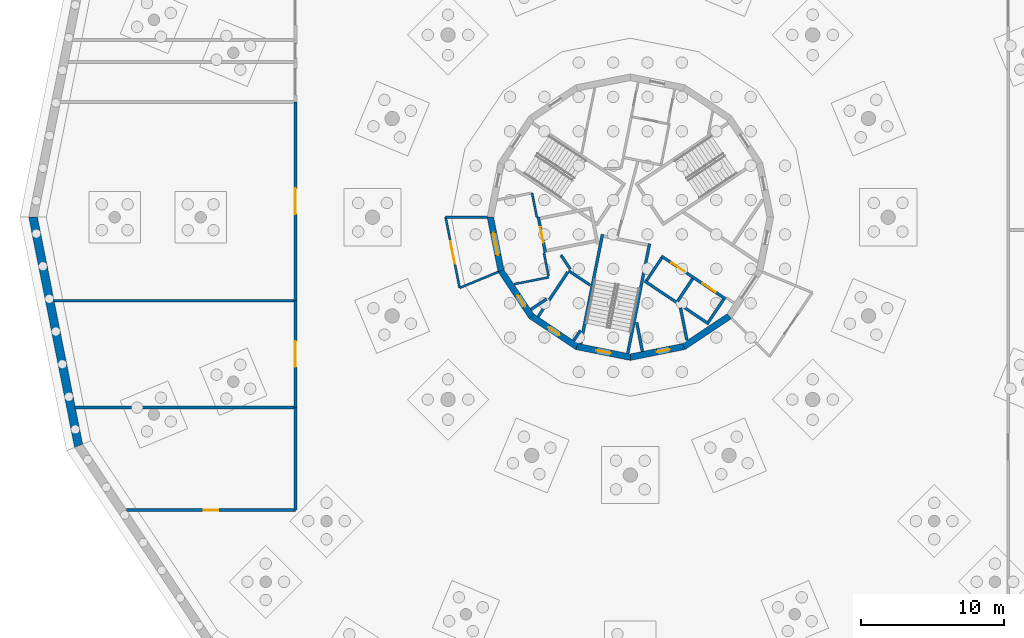
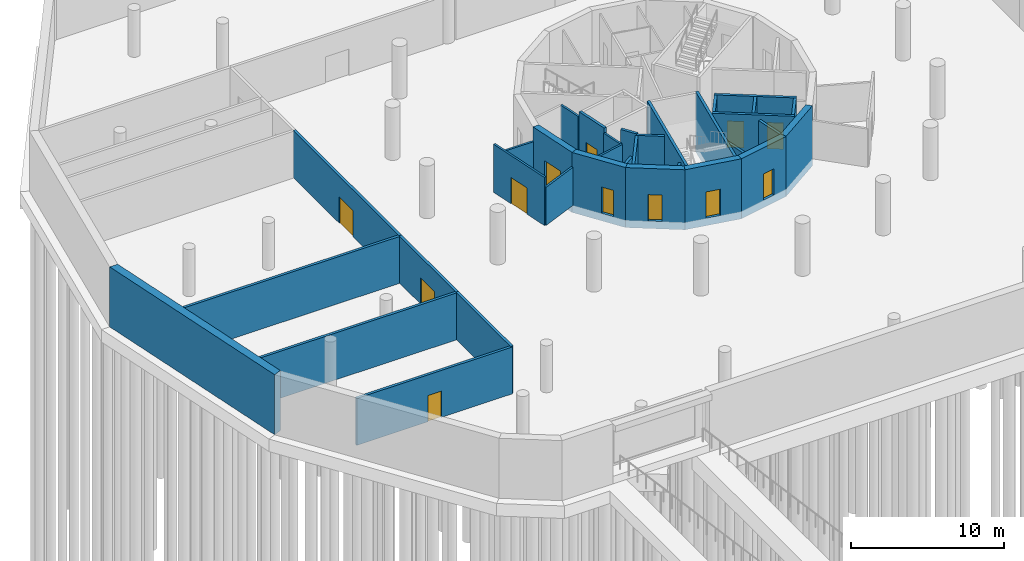
# One storey, part 4 of 8: 34 walls, 12 doors, 12 openings.
"""IFC4 building model written with IfcOpenShell, lengths in metres."""

from ifc_helpers import new_model, si_unit, direction, frame, frame_2d, origin, place, context, subcontext, project, spatial, polyline, rectangle, outline, extrude, material, layer, layer_set, type_object, element, fill, save


model = new_model("IFC4")

# Units and contexts
model_context = context("Model", 3, precision=1e-05, world=origin(), true_north=direction((0.0, 1.0)))
body_context = subcontext(model_context, "Body", "Model", "MODEL_VIEW")
ifc_project = project(units=[si_unit("LENGTHUNIT", "METRE"), si_unit("AREAUNIT", "SQUARE_METRE"), si_unit("VOLUMEUNIT", "CUBIC_METRE"), si_unit("PLANEANGLEUNIT", "RADIAN"), si_unit("MASSUNIT", "GRAM", prefix="KILO")], contexts=[model_context])

# Site, building, storey
site_placement = place(None, origin())
site = spatial("IfcSite", under=ifc_project, at=site_placement, CompositionType="ELEMENT")
building_placement = place(site_placement, origin())
building = spatial("IfcBuilding", under=site, at=building_placement, Name="Ceibo Conservatory and Research Tower", CompositionType="ELEMENT")
storey_placement = place(building_placement, frame((0.0, 0.0, -4.199951171875)))
storey = spatial("IfcBuildingStorey", under=building, at=storey_placement, Name="B1", CompositionType="ELEMENT", Elevation=-4.199951171875)

# Wall
ifc_material_1 = material(Name="Masonry blockwork", Category="masonry")
ifc_layer_1 = layer(ifc_material_1, 0.199951171875)
ifc_layer_set_1 = layer_set([ifc_layer_1], Name="Masonry blockwork")
wall_type_1 = type_object("IfcWallType", Name="Compartment wall 200 EI 120", PredefinedType="SOLIDWALL", material=ifc_layer_set_1)
wall_1_placement = place(storey_placement, frame((24.516845703125, 114.169921875, 0.0), z_axis=(0.0, 0.0, 1.0), x_axis=(-1.0, 0.0, 0.0)))
element("IfcWall", 1, at=wall_1_placement, inside=storey, type_object=wall_type_1, Name="Partition B1.008", PredefinedType="SOLIDWALL", context=body_context, shape_type="SweptSolid", body=[
    extrude(rectangle(XDim=16.765380859375, YDim=0.199951171875, at=frame_2d((8.3828125, 0.0))), origin(), (0.0, 0.0, 1.0), 3.75),
])

# Wall, opening, door
wall_2_placement = place(storey_placement, frame((24.61181640625, 128.050048828125, 0.0), z_axis=(0.0, 0.0, 1.0), x_axis=(0.0, -1.0, 0.0)))
wall_2 = element("IfcWall", 2, at=wall_2_placement, inside=storey, type_object=wall_type_1, Name="Partition B1.009", PredefinedType="SOLIDWALL", context=body_context, shape_type="SweptSolid", body=[
    extrude(rectangle(XDim=13.880126953125, YDim=0.199951171875, at=frame_2d((6.93994140625, 0.0))), origin(), (0.0, 0.0, 1.0), 3.75),
])
opening_1_placement = place(wall_2_placement, frame((6.0400390625, 0.0, 0.0)))
opening_1 = element("IfcOpeningElement", 3, at=opening_1_placement, cuts=wall_2, Name="Opening PB1-04", PredefinedType="OPENING", context=body_context, shape_type="SweptSolid", body=[
    extrude(rectangle(XDim=1.800048828125, YDim=2.10009765625, at=frame_2d((0.89990234375, 1.050048828125))), frame((0.0, 0.10986328125, 0.0), z_axis=(0.0, -1.0, 0.0), x_axis=(1.0, 0.0, 0.0)), (0.0, 0.0, 1.0), 0.219970703125),
])
ifc_material_2 = material(Name="Solid timber", Category="wood")
door_type_1 = type_object("IfcDoorType", Name="Door double 1800x2100 EI 120", OperationType="DOUBLE_DOOR_SINGLE_SWING", PredefinedType="DOOR", material=ifc_material_2)
door_1_placement = place(opening_1_placement, frame((1.800048828125, 0.0, 0.0), z_axis=(0.0, 0.0, 1.0), x_axis=(-1.0, 0.0, 0.0)))
door_1 = element("IfcDoor", 4, at=door_1_placement, inside=storey, type_object=door_type_1, Name="Door PB1-04", OperationType="DOUBLE_DOOR_SINGLE_SWING", OverallHeight=2.10009765625, OverallWidth=1.800048828125, PredefinedType="DOOR", context=body_context, shape_type="SweptSolid", body=[
    extrude(rectangle(XDim=1.800048828125, YDim=2.10009765625, at=frame_2d((0.89990234375, 1.050048828125))), frame((0.0, 0.02490234375, 0.0), z_axis=(0.0, -1.0, 0.0), x_axis=(1.0, 0.0, 0.0)), (0.0, 0.0, 1.0), 0.050048828125),
])
fill(opening_1, door_1)

# Wall
wall_3_placement = place(storey_placement, frame((24.516845703125, 106.719970703125, 0.0), z_axis=(0.0, 0.0, 1.0), x_axis=(-1.0, 0.0, 0.0)))
element("IfcWall", 5, at=wall_3_placement, inside=storey, type_object=wall_type_1, Name="Partition B1.010", PredefinedType="SOLIDWALL", context=body_context, shape_type="SweptSolid", body=[
    extrude(rectangle(XDim=15.283447265625, YDim=0.199951171875, at=frame_2d((7.6416015625, 0.0))), origin(), (0.0, 0.0, 1.0), 3.75),
])

# Wall, opening, door
wall_4_placement = place(storey_placement, frame((24.61181640625, 114.169921875, 0.0), z_axis=(0.0, 0.0, 1.0), x_axis=(0.0, -1.0, 0.0)))
wall_4 = element("IfcWall", 6, at=wall_4_placement, inside=storey, type_object=wall_type_1, Name="Partition B1.011", PredefinedType="SOLIDWALL", context=body_context, shape_type="SweptSolid", body=[
    extrude(rectangle(XDim=7.449951171875, YDim=0.199951171875, at=frame_2d((3.72509765625, 0.0))), origin(), (0.0, 0.0, 1.0), 3.75),
])
opening_2_placement = place(wall_4_placement, frame((2.8251953125, 0.0, 0.0)))
opening_2 = element("IfcOpeningElement", 7, at=opening_2_placement, cuts=wall_4, Name="Opening PB1-05", PredefinedType="OPENING", context=body_context, shape_type="SweptSolid", body=[
    extrude(rectangle(XDim=1.800048828125, YDim=2.10009765625, at=frame_2d((0.89990234375, 1.050048828125))), frame((0.0, 0.10986328125, 0.0), z_axis=(0.0, -1.0, 0.0), x_axis=(1.0, 0.0, 0.0)), (0.0, 0.0, 1.0), 0.219970703125),
])
door_2_placement = place(opening_2_placement, frame((1.800048828125, 0.0, 0.0), z_axis=(0.0, 0.0, 1.0), x_axis=(-1.0, 0.0, 0.0)))
door_2 = element("IfcDoor", 8, at=door_2_placement, inside=storey, type_object=door_type_1, Name="Door PB1-05", OperationType="DOUBLE_DOOR_SINGLE_SWING", OverallHeight=2.10009765625, OverallWidth=1.800048828125, PredefinedType="DOOR", context=body_context, shape_type="SweptSolid", body=[
    extrude(rectangle(XDim=1.800048828125, YDim=2.10009765625, at=frame_2d((0.89990234375, 1.050048828125))), frame((0.0, 0.02490234375, 0.0), z_axis=(0.0, -1.0, 0.0), x_axis=(1.0, 0.0, 0.0)), (0.0, 0.0, 1.0), 0.050048828125),
])
fill(opening_2, door_2)

# Wall
wall_5_placement = place(storey_placement, frame((24.61181640625, 106.719970703125, 0.0), z_axis=(0.0, 0.0, 1.0), x_axis=(0.0, -1.0, 0.0)))
element("IfcWall", 9, at=wall_5_placement, inside=storey, type_object=wall_type_1, Name="Partition B1.012", PredefinedType="SOLIDWALL", context=body_context, shape_type="SweptSolid", body=[
    extrude(rectangle(XDim=7.169921875, YDim=0.199951171875, at=frame_2d((3.5849609375, 0.0))), origin(), (0.0, 0.0, 1.0), 3.75),
])

# Wall, opening, door
wall_6_placement = place(storey_placement, frame((24.61181640625, 99.550048828125, 0.0), z_axis=(0.0, 0.0, 1.0), x_axis=(-1.0, 0.0, 0.0)))
wall_6 = element("IfcWall", 10, at=wall_6_placement, inside=storey, type_object=wall_type_1, Name="Partition B1.013", PredefinedType="SOLIDWALL", context=body_context, shape_type="SweptSolid", body=[
    extrude(rectangle(XDim=11.788330078125, YDim=0.199951171875, at=frame_2d((5.89404296875, 0.0))), origin(), (0.0, 0.0, 1.0), 3.75),
])
opening_3_placement = place(wall_6_placement, frame((5.39404296875, 0.0, 0.0)))
opening_3 = element("IfcOpeningElement", 11, at=opening_3_placement, cuts=wall_6, Name="Opening PB1-06", PredefinedType="OPENING", context=body_context, shape_type="SweptSolid", body=[
    extrude(rectangle(XDim=1.0, YDim=2.10009765625, at=frame_2d((0.5, 1.050048828125))), frame((0.0, 0.10986328125, 0.0), z_axis=(0.0, -1.0, 0.0), x_axis=(1.0, 0.0, 0.0)), (0.0, 0.0, 1.0), 0.219970703125),
])
door_type_2 = type_object("IfcDoorType", Name="Door single wide 1000x2100 EI 120 (right hand)", OperationType="SINGLE_SWING_RIGHT", PredefinedType="DOOR", material=ifc_material_2)
door_3_placement = place(opening_3_placement, origin())
door_3 = element("IfcDoor", 12, at=door_3_placement, inside=storey, type_object=door_type_2, Name="Door PB1-06", OperationType="SINGLE_SWING_RIGHT", OverallHeight=2.10009765625, OverallWidth=1.0, PredefinedType="DOOR", context=body_context, shape_type="SweptSolid", body=[
    extrude(rectangle(XDim=1.0, YDim=2.10009765625, at=frame_2d((0.5, 1.050048828125))), frame((0.0, 0.02490234375, 0.0), z_axis=(0.0, -1.0, 0.0), x_axis=(1.0, 0.0, 0.0)), (0.0, 0.0, 1.0), 0.050048828125),
])
fill(opening_3, door_3)

ifc_material_3 = material(Name="Concrete C40/50", Category="concrete")
ifc_layer_2 = layer(ifc_material_3, 0.449951171875)
ifc_layer_set_2 = layer_set([ifc_layer_2], Name="Concrete C40/50")
wall_type_2 = type_object("IfcWallType", Name="Core wall 450 C40", PredefinedType="SHEAR", material=ifc_layer_set_2)
wall_7_placement = place(storey_placement, frame((38.2294921875, 120.0, -0.60009765625), z_axis=(0.0, 0.0, 1.0), x_axis=(0.195069197673, -0.98078948206, 0.0)))
wall_7 = element("IfcWall", 13, at=wall_7_placement, inside=storey, type_object=wall_type_2, Name="Core wall B1 09", PredefinedType="SHEAR", context=body_context, shape_type="SweptSolid", body=[
    extrude(outline(polyline([(-0.044677734375, -0.22509765625), (3.85693359375, -0.22509765625), (3.767578125, 0.22509765625), (0.044677734375, 0.22509765625), (-0.044677734375, -0.22509765625)])), origin(), (0.0, 0.0, 1.0), 4.800048828125),
])
opening_4_placement = place(wall_7_placement, frame((1.0947265625, 0.0, 0.60009765625)))
opening_4 = element("IfcOpeningElement", 14, at=opening_4_placement, cuts=wall_7, Name="Opening CB1-06", PredefinedType="OPENING", context=body_context, shape_type="SweptSolid", body=[
    extrude(rectangle(XDim=1.60009765625, YDim=2.10009765625, at=frame_2d((0.800048828125, 1.050048828125))), frame((0.0, 0.23486328125, 0.0), z_axis=(0.0, -1.0, 0.0), x_axis=(1.0, 0.0, 0.0)), (0.0, 0.0, 1.0), 0.469970703125),
])
ifc_material_4 = material(Name="Galvanised sheet steel DX51D", Category="steel")
door_type_3 = type_object("IfcDoorType", Name="Lobby double door 1600x2100 EI 60", OperationType="DOUBLE_DOOR_SINGLE_SWING", PredefinedType="DOOR", material=ifc_material_4)
door_4_placement = place(opening_4_placement, origin())
door_4 = element("IfcDoor", 15, at=door_4_placement, inside=storey, type_object=door_type_3, Name="Goods Lift Lobby door B1", OperationType="DOUBLE_DOOR_SINGLE_SWING", OverallHeight=2.10009765625, OverallWidth=1.60009765625, PredefinedType="DOOR", context=body_context, shape_type="SweptSolid", body=[
    extrude(rectangle(XDim=1.60009765625, YDim=2.10009765625, at=frame_2d((0.800048828125, 1.050048828125))), frame((0.0, 0.02490234375, 0.0), z_axis=(0.0, -1.0, 0.0), x_axis=(1.0, 0.0, 0.0)), (0.0, 0.0, 1.0), 0.050048828125),
])
fill(opening_4, door_4)

wall_8_placement = place(storey_placement, frame((38.97314453125, 116.260986328125, -0.60009765625), z_axis=(0.0, 0.0, 1.0), x_axis=(0.555542277102, -0.83148829117, 0.0)))
wall_8 = element("IfcWall", 16, at=wall_8_placement, inside=storey, type_object=wall_type_2, Name="Core wall B1 10", PredefinedType="SHEAR", context=body_context, shape_type="SweptSolid", body=[
    extrude(outline(polyline([(-0.044677734375, -0.22509765625), (3.85693359375, -0.22509765625), (3.767578125, 0.22509765625), (0.044677734375, 0.22509765625), (-0.044677734375, -0.22509765625)])), origin(), (0.0, 0.0, 1.0), 4.800048828125),
])
opening_5_placement = place(wall_8_placement, frame((2.0947265625, 0.0, 0.60009765625)))
opening_5 = element("IfcOpeningElement", 17, at=opening_5_placement, cuts=wall_8, Name="Opening CB1-10", PredefinedType="OPENING", context=body_context, shape_type="SweptSolid", body=[
    extrude(rectangle(XDim=0.89990234375, YDim=2.10009765625, at=frame_2d((0.449951171875, 1.050048828125))), frame((0.0, 0.23486328125, 0.0), z_axis=(0.0, -1.0, 0.0), x_axis=(1.0, 0.0, 0.0)), (0.0, 0.0, 1.0), 0.469970703125),
])
door_type_4 = type_object("IfcDoorType", Name="Riser door 900x2100 EI 60 (left hand)", OperationType="SINGLE_SWING_LEFT", PredefinedType="DOOR", material=ifc_material_4)
door_5_placement = place(opening_5_placement, frame((0.89990234375, 0.0, 0.0), z_axis=(0.0, 0.0, 1.0), x_axis=(-1.0, 0.0, 0.0)))
door_5 = element("IfcDoor", 18, at=door_5_placement, inside=storey, type_object=door_type_4, Name="Mechanical Riser door B1", OperationType="SINGLE_SWING_LEFT", OverallHeight=2.10009765625, OverallWidth=0.89990234375, PredefinedType="DOOR", context=body_context, shape_type="SweptSolid", body=[
    extrude(rectangle(XDim=0.89990234375, YDim=2.10009765625, at=frame_2d((0.449951171875, 1.050048828125))), frame((0.0, 0.02490234375, 0.0), z_axis=(0.0, -1.0, 0.0), x_axis=(1.0, 0.0, 0.0)), (0.0, 0.0, 1.0), 0.050048828125),
])
fill(opening_5, door_5)

wall_9_placement = place(storey_placement, frame((41.091064453125, 113.091064453125, -0.60009765625), z_axis=(0.0, 0.0, 1.0), x_axis=(0.83148829117, -0.555542277102, 0.0)))
wall_9 = element("IfcWall", 19, at=wall_9_placement, inside=storey, type_object=wall_type_2, Name="Core wall B1 11", PredefinedType="SHEAR", context=body_context, shape_type="SweptSolid", body=[
    extrude(outline(polyline([(-0.044677734375, -0.22509765625), (3.85693359375, -0.22509765625), (3.767578125, 0.22509765625), (0.044677734375, 0.22509765625), (-0.044677734375, -0.22509765625)])), origin(), (0.0, 0.0, 1.0), 4.800048828125),
])
opening_6_placement = place(wall_9_placement, frame((1.444580078125, 0.0, 0.60009765625)))
opening_6 = element("IfcOpeningElement", 20, at=opening_6_placement, cuts=wall_9, Name="Opening CB1-09", PredefinedType="OPENING", context=body_context, shape_type="SweptSolid", body=[
    extrude(rectangle(XDim=0.89990234375, YDim=2.10009765625, at=frame_2d((0.449951171875, 1.050048828125))), frame((0.0, 0.23486328125, 0.0), z_axis=(0.0, -1.0, 0.0), x_axis=(1.0, 0.0, 0.0)), (0.0, 0.0, 1.0), 0.469970703125),
])
door_type_5 = type_object("IfcDoorType", Name="Riser door 900x2100 EI 60 (right hand)", OperationType="SINGLE_SWING_RIGHT", PredefinedType="DOOR", material=ifc_material_4)
door_6_placement = place(opening_6_placement, frame((0.89990234375, 0.0, 0.0), z_axis=(0.0, 0.0, 1.0), x_axis=(-1.0, 0.0, 0.0)))
door_6 = element("IfcDoor", 21, at=door_6_placement, inside=storey, type_object=door_type_5, Name="Cleaner Store door B1", OperationType="SINGLE_SWING_RIGHT", OverallHeight=2.10009765625, OverallWidth=0.89990234375, PredefinedType="DOOR", context=body_context, shape_type="SweptSolid", body=[
    extrude(rectangle(XDim=0.89990234375, YDim=2.10009765625, at=frame_2d((0.449951171875, 1.050048828125))), frame((0.0, 0.02490234375, 0.0), z_axis=(0.0, -1.0, 0.0), x_axis=(1.0, 0.0, 0.0)), (0.0, 0.0, 1.0), 0.050048828125),
])
fill(opening_6, door_6)

wall_10_placement = place(storey_placement, frame((44.260986328125, 110.97314453125, -0.60009765625), z_axis=(0.0, 0.0, 1.0), x_axis=(0.98078948206, -0.195069197673, 0.0)))
wall_10 = element("IfcWall", 22, at=wall_10_placement, inside=storey, type_object=wall_type_2, Name="Core wall B1 12", PredefinedType="SHEAR", context=body_context, shape_type="SweptSolid", body=[
    extrude(outline(polyline([(-0.044677734375, -0.22509765625), (3.85693359375, -0.22509765625), (3.767578125, 0.22509765625), (0.044677734375, 0.22509765625), (-0.044677734375, -0.22509765625)])), origin(), (0.0, 0.0, 1.0), 4.800048828125),
])
opening_7_placement = place(wall_10_placement, frame((1.40625, 0.0, 0.60009765625)))
opening_7 = element("IfcOpeningElement", 23, at=opening_7_placement, cuts=wall_10, Name="Opening CB1-03", PredefinedType="OPENING", context=body_context, shape_type="SweptSolid", body=[
    extrude(rectangle(XDim=1.0, YDim=2.10009765625, at=frame_2d((0.5, 1.050048828125))), frame((0.0, 0.23486328125, 0.0), z_axis=(0.0, -1.0, 0.0), x_axis=(1.0, 0.0, 0.0)), (0.0, 0.0, 1.0), 0.469970703125),
])
door_type_6 = type_object("IfcDoorType", Name="Stair door 1000x2100 EI 120 (right hand)", OperationType="SINGLE_SWING_RIGHT", PredefinedType="DOOR", material=ifc_material_4)
door_7_placement = place(opening_7_placement, origin())
door_7 = element("IfcDoor", 24, at=door_7_placement, inside=storey, type_object=door_type_6, Name="Stair door ST3 B1", OperationType="SINGLE_SWING_RIGHT", OverallHeight=2.10009765625, OverallWidth=1.0, PredefinedType="DOOR", context=body_context, shape_type="SweptSolid", body=[
    extrude(rectangle(XDim=1.0, YDim=2.10009765625, at=frame_2d((0.5, 1.050048828125))), frame((0.0, 0.02490234375, 0.0), z_axis=(0.0, -1.0, 0.0), x_axis=(1.0, 0.0, 0.0)), (0.0, 0.0, 1.0), 0.050048828125),
])
fill(opening_7, door_7)

wall_11_placement = place(storey_placement, frame((48.0, 110.2294921875, -0.60009765625), z_axis=(0.0, 0.0, 1.0), x_axis=(0.98078948206, 0.195069197673, 0.0)))
wall_11 = element("IfcWall", 25, at=wall_11_placement, inside=storey, type_object=wall_type_2, Name="Core wall B1 13", PredefinedType="SHEAR", context=body_context, shape_type="SweptSolid", body=[
    extrude(outline(polyline([(-0.044677734375, -0.22509765625), (3.85693359375, -0.22509765625), (3.767578125, 0.22509765625), (0.044677734375, 0.22509765625), (-0.044677734375, -0.22509765625)])), origin(), (0.0, 0.0, 1.0), 4.800048828125),
])
opening_8_placement = place(wall_11_placement, frame((1.894775390625, 0.0, 0.60009765625)))
opening_8 = element("IfcOpeningElement", 26, at=opening_8_placement, cuts=wall_11, Name="Opening CB1-11", PredefinedType="OPENING", context=body_context, shape_type="SweptSolid", body=[
    extrude(rectangle(XDim=0.89990234375, YDim=2.10009765625, at=frame_2d((0.449951171875, 1.050048828125))), frame((0.0, 0.23486328125, 0.0), z_axis=(0.0, -1.0, 0.0), x_axis=(1.0, 0.0, 0.0)), (0.0, 0.0, 1.0), 0.469970703125),
])
door_8_placement = place(opening_8_placement, frame((0.89990234375, 0.0, 0.0), z_axis=(0.0, 0.0, 1.0), x_axis=(-1.0, 0.0, 0.0)))
door_8 = element("IfcDoor", 27, at=door_8_placement, inside=storey, type_object=door_type_4, Name="Cleaner Store door B1", OperationType="SINGLE_SWING_LEFT", OverallHeight=2.10009765625, OverallWidth=0.89990234375, PredefinedType="DOOR", context=body_context, shape_type="SweptSolid", body=[
    extrude(rectangle(XDim=0.89990234375, YDim=2.10009765625, at=frame_2d((0.449951171875, 1.050048828125))), frame((0.0, 0.02490234375, 0.0), z_axis=(0.0, -1.0, 0.0), x_axis=(1.0, 0.0, 0.0)), (0.0, 0.0, 1.0), 0.050048828125),
])
fill(opening_8, door_8)

# Walls
wall_12_placement = place(storey_placement, frame((51.739013671875, 110.97314453125, -0.60009765625), z_axis=(0.0, 0.0, 1.0), x_axis=(0.83148829117, 0.555542277102, 0.0)))
element("IfcWall", 28, at=wall_12_placement, inside=storey, type_object=wall_type_2, Name="Core wall B1 14", PredefinedType="SHEAR", context=body_context, shape_type="SweptSolid", body=[
    extrude(outline(polyline([(-0.044677734375, -0.22509765625), (3.85693359375, -0.22509765625), (3.767578125, 0.22509765625), (0.044677734375, 0.22509765625), (-0.044677734375, -0.22509765625)])), origin(), (0.0, 0.0, 1.0), 4.800048828125),
])
ifc_material_5 = material(Name="Plasterboard on metal studs, fire board")
ifc_layer_3 = layer(ifc_material_5, 0.14990234375)
ifc_layer_set_3 = layer_set([ifc_layer_3], Name="Plasterboard on metal studs, fire board")
wall_type_3 = type_object("IfcWallType", Name="Corridor wall 150 EI 60", PredefinedType="PARTITIONING", material=ifc_layer_set_3)
wall_13_placement = place(storey_placement, frame((39.899169921875, 115.329833984375, 0.0), z_axis=(0.0, 0.0, 1.0), x_axis=(0.980782755583, 0.195103014715, 0.0)))
element("IfcWall", 29, at=wall_13_placement, inside=storey, type_object=wall_type_3, Name="Core partition B1.P004", PredefinedType="PARTITIONING", context=body_context, shape_type="SweptSolid", body=[
    extrude(rectangle(XDim=2.456298828125, YDim=0.14990234375, at=frame_2d((1.22802734375, 0.0))), origin(), (0.0, 0.0, 1.0), 3.849853515625),
])
wall_14_placement = place(storey_placement, frame((42.293701171875, 115.882568359375, 0.0), z_axis=(0.0, 0.0, 1.0), x_axis=(-0.195163043227, 0.980770812452, 0.0)))
element("IfcWall", 30, at=wall_14_placement, inside=storey, type_object=wall_type_3, Name="Core partition B1.P005", PredefinedType="PARTITIONING", context=body_context, shape_type="SweptSolid", body=[
    extrude(rectangle(XDim=1.675048828125, YDim=0.14990234375, at=frame_2d((0.83740234375, 0.0))), origin(), (0.0, 0.0, 1.0), 3.849853515625),
])
wall_15_placement = place(storey_placement, frame((41.47900390625, 119.977294921875, 0.0), z_axis=(0.0, 0.0, 1.0), x_axis=(-0.19501613536, 0.98080003413, 0.0)))
element("IfcWall", 31, at=wall_15_placement, inside=storey, type_object=wall_type_3, Name="Core partition B1.P006", PredefinedType="PARTITIONING", context=body_context, shape_type="SweptSolid", body=[
    extrude(rectangle(XDim=1.750244140625, YDim=0.14990234375, at=frame_2d((0.875, 0.0))), origin(), (0.0, 0.0, 1.0), 3.849853515625),
])
wall_16_placement = place(storey_placement, frame((38.77978515625, 116.180908203125, 0.0), z_axis=(0.0, 0.0, 1.0), x_axis=(-0.923881302106, -0.382679160157, 0.0)))
element("IfcWall", 32, at=wall_16_placement, inside=storey, type_object=wall_type_3, Name="Partition B1.028", PredefinedType="PARTITIONING", context=body_context, shape_type="SweptSolid", body=[
    extrude(rectangle(XDim=2.919921875, YDim=0.14990234375, at=frame_2d((1.4599609375, 0.0))), origin(), (0.0, 0.0, 1.0), 3.050048828125),
])

# Wall, opening, door
wall_17_placement = place(storey_placement, frame((36.08203125, 115.0634765625, 0.0), z_axis=(0.0, 0.0, 1.0), x_axis=(-0.195089945547, 0.980785355287, 0.0)))
wall_17 = element("IfcWall", 33, at=wall_17_placement, inside=storey, type_object=wall_type_3, Name="Partition B1.029", PredefinedType="PARTITIONING", context=body_context, shape_type="SweptSolid", body=[
    extrude(rectangle(XDim=5.033203125, YDim=0.14990234375, at=frame_2d((2.5166015625, 0.0))), origin(), (0.0, 0.0, 1.0), 3.849853515625),
])
opening_9_placement = place(wall_17_placement, frame((1.716552734375, 0.0, 0.0)))
opening_9 = element("IfcOpeningElement", 34, at=opening_9_placement, cuts=wall_17, Name="Opening PB1-13", PredefinedType="OPENING", context=body_context, shape_type="SweptSolid", body=[
    extrude(rectangle(XDim=1.60009765625, YDim=2.10009765625, at=frame_2d((0.800048828125, 1.050048828125))), frame((0.0, 0.0849609375, 0.0), z_axis=(0.0, -1.0, 0.0), x_axis=(1.0, 0.0, 0.0)), (0.0, 0.0, 1.0), 0.169921875),
])
door_type_7 = type_object("IfcDoorType", Name="Door double narrow 1600x2100 EI 60", OperationType="DOUBLE_DOOR_SINGLE_SWING", PredefinedType="DOOR", material=ifc_material_2)
door_9_placement = place(opening_9_placement, origin())
door_9 = element("IfcDoor", 35, at=door_9_placement, inside=storey, type_object=door_type_7, Name="Door PB1-13", OperationType="DOUBLE_DOOR_SINGLE_SWING", OverallHeight=2.10009765625, OverallWidth=1.60009765625, PredefinedType="DOOR", context=body_context, shape_type="SweptSolid", body=[
    extrude(rectangle(XDim=1.60009765625, YDim=2.10009765625, at=frame_2d((0.800048828125, 1.050048828125))), frame((0.0, 0.02490234375, 0.0), z_axis=(0.0, -1.0, 0.0), x_axis=(1.0, 0.0, 0.0)), (0.0, 0.0, 1.0), 0.050048828125),
])
fill(opening_9, door_9)

# Walls
wall_18_placement = place(storey_placement, frame((35.10009765625, 120.0, 0.0), z_axis=(0.0, 0.0, 1.0), x_axis=(1.0, 0.0, 0.0)))
element("IfcWall", 36, at=wall_18_placement, inside=storey, type_object=wall_type_3, Name="Partition B1.030", PredefinedType="PARTITIONING", context=body_context, shape_type="SweptSolid", body=[
    extrude(rectangle(XDim=2.919921875, YDim=0.14990234375, at=frame_2d((1.4599609375, 0.0))), origin(), (0.0, 0.0, 1.0), 3.050048828125),
])
ifc_layer_4 = layer(ifc_material_3, 0.60009765625)
ifc_layer_set_4 = layer_set([ifc_layer_4], Name="Concrete C40/50")
wall_type_4 = type_object("IfcWallType", Name="RC retaining wall 600 C40", PredefinedType="SOLIDWALL", material=ifc_layer_set_4)
wall_19_placement = place(storey_placement, frame((6.305908203125, 120.0, -0.60009765625), z_axis=(0.0, 0.0, 1.0), x_axis=(0.195094380607, -0.980784473091, 0.0)))
element("IfcWall", 37, at=wall_19_placement, inside=storey, type_object=wall_type_4, Name="Retaining wall 06", PredefinedType="SOLIDWALL", context=body_context, shape_type="SweptSolid", body=[
    extrude(outline(polyline([(-0.0595703125, -0.300048828125), (16.32763671875, -0.300048828125), (16.20849609375, 0.300048828125), (0.0595703125, 0.300048828125), (-0.0595703125, -0.300048828125)])), origin(), (0.0, 0.0, 1.0), 4.800048828125),
])
ifc_layer_5 = layer(ifc_material_1, 0.199951171875)
ifc_layer_set_5 = layer_set([ifc_layer_5], Name="Masonry blockwork")
wall_type_5 = type_object("IfcWallType", Name="Riser wall 200 EI 120", PredefinedType="SOLIDWALL", material=ifc_layer_set_5)
wall_20_placement = place(storey_placement, frame((43.697265625, 116.26025390625, 0.0), z_axis=(0.0, 0.0, 1.0), x_axis=(0.831408849916, -0.555661159593, 0.0)))
element("IfcWall", 38, at=wall_20_placement, inside=storey, type_object=wall_type_5, Name="Core partition B1.P018", PredefinedType="SOLIDWALL", context=body_context, shape_type="SweptSolid", body=[
    extrude(rectangle(XDim=1.81689453125, YDim=0.199951171875, at=frame_2d((0.908447265625, 0.0))), origin(), (0.0, 0.0, 1.0), 3.849853515625),
])
wall_21_placement = place(storey_placement, frame((44.52783203125, 112.103515625, 0.0), z_axis=(0.0, 0.0, 1.0), x_axis=(-0.55561384329, -0.831440471197, 0.0)))
element("IfcWall", 39, at=wall_21_placement, inside=storey, type_object=wall_type_5, Name="Core partition B1.P019", PredefinedType="SOLIDWALL", context=body_context, shape_type="SweptSolid", body=[
    extrude(rectangle(XDim=0.863037109375, YDim=0.199951171875, at=frame_2d((0.431640625, 0.0))), origin(), (0.0, 0.0, 1.0), 3.849853515625),
])
wall_22_placement = place(storey_placement, frame((41.553955078125, 113.052490234375, 0.0), z_axis=(0.0, 0.0, 1.0), x_axis=(0.555524492638, 0.831500173228, 0.0)))
element("IfcWall", 40, at=wall_22_placement, inside=storey, type_object=wall_type_5, Name="Core partition B1.P020", PredefinedType="SOLIDWALL", context=body_context, shape_type="SweptSolid", body=[
    extrude(rectangle(XDim=3.758056640625, YDim=0.199951171875, at=frame_2d((1.87890625, 0.0))), origin(), (0.0, 0.0, 1.0), 3.849853515625),
])
wall_23_placement = place(storey_placement, frame((43.1572265625, 117.347900390625, 0.0), z_axis=(0.0, 0.0, 1.0), x_axis=(0.555615365777, -0.831439453786, 0.0)))
element("IfcWall", 41, at=wall_23_placement, inside=storey, type_object=wall_type_5, Name="Core partition B1.P021", PredefinedType="SOLIDWALL", context=body_context, shape_type="SweptSolid", body=[
    extrude(rectangle(XDim=1.169189453125, YDim=0.199951171875, at=frame_2d((0.58447265625, 0.0))), origin(), (0.0, 0.0, 1.0), 3.849853515625),
])
wall_24_placement = place(storey_placement, frame((42.151611328125, 114.288330078125, 0.0), z_axis=(0.0, 0.0, 1.0), x_axis=(-0.83148157585, -0.555552327889, 0.0)))
element("IfcWall", 42, at=wall_24_placement, inside=storey, type_object=wall_type_5, Name="Core partition B1.P022", PredefinedType="SOLIDWALL", context=body_context, shape_type="SweptSolid", body=[
    extrude(rectangle(XDim=1.32177734375, YDim=0.199951171875, at=frame_2d((0.660888671875, 0.0))), origin(), (0.0, 0.0, 1.0), 3.849853515625),
])
wall_25_placement = place(storey_placement, frame((48.8447265625, 110.626953125, 0.0), z_axis=(0.0, 0.0, 1.0), x_axis=(-0.195050146699, 0.980793270915, 0.0)))
element("IfcWall", 43, at=wall_25_placement, inside=storey, type_object=wall_type_5, Name="Core partition B1.P023", PredefinedType="SOLIDWALL", context=body_context, shape_type="SweptSolid", body=[
    extrude(rectangle(XDim=2.0703125, YDim=0.199951171875, at=frame_2d((1.03515625, 0.0))), origin(), (0.0, 0.0, 1.0), 3.849853515625),
])
wall_26_placement = place(storey_placement, frame((51.502197265625, 113.67041015625, 0.0), z_axis=(0.0, 0.0, 1.0), x_axis=(0.19508928515, -0.980785486648, 0.0)))
element("IfcWall", 44, at=wall_26_placement, inside=storey, type_object=wall_type_5, Name="Core partition B1.P024", PredefinedType="SOLIDWALL", context=body_context, shape_type="SweptSolid", body=[
    extrude(rectangle(XDim=2.286376953125, YDim=0.199951171875, at=frame_2d((1.14306640625, 0.0))), origin(), (0.0, 0.0, 1.0), 3.849853515625),
])

# Wall, openings, doors
ifc_layer_6 = layer(ifc_material_3, 0.199951171875)
ifc_layer_set_6 = layer_set([ifc_layer_6], Name="Concrete C40/50")
wall_type_6 = type_object("IfcWallType", Name="Shaft wall 200 C40", PredefinedType="SHEAR", material=ifc_layer_set_6)
wall_27_placement = place(storey_placement, frame((50.160400390625, 117.29345703125, -0.60009765625), z_axis=(0.0, 0.0, 1.0), x_axis=(0.831479497601, -0.55555543834, 0.0)))
wall_27 = element("IfcWall", 45, at=wall_27_placement, inside=storey, type_object=wall_type_6, Name="Shaft wall LRB.F B1", PredefinedType="SHEAR", context=body_context, shape_type="SweptSolid", body=[
    extrude(rectangle(XDim=5.39990234375, YDim=0.199951171875, at=frame_2d((2.699951171875, 0.0))), origin(), (0.0, 0.0, 1.0), 4.800048828125),
])
opening_10_placement = place(wall_27_placement, frame((0.85009765625, 0.0, 0.60009765625)))
opening_10 = element("IfcOpeningElement", 46, at=opening_10_placement, cuts=wall_27, Name="Opening LD-LP1-B1", PredefinedType="OPENING", context=body_context, shape_type="SweptSolid", body=[
    extrude(rectangle(XDim=1.10009765625, YDim=2.10009765625, at=frame_2d((0.550048828125, 1.050048828125))), frame((0.0, 0.10986328125, 0.0), z_axis=(0.0, -1.0, 0.0), x_axis=(1.0, 0.0, 0.0)), (0.0, 0.0, 1.0), 0.219970703125),
])
opening_11_placement = place(wall_27_placement, frame((3.4501953125, 0.0, 0.60009765625)))
opening_11 = element("IfcOpeningElement", 47, at=opening_11_placement, cuts=wall_27, Name="Opening LD-LP2-B1", PredefinedType="OPENING", context=body_context, shape_type="SweptSolid", body=[
    extrude(rectangle(XDim=1.10009765625, YDim=2.10009765625, at=frame_2d((0.550048828125, 1.050048828125))), frame((0.0, 0.10986328125, 0.0), z_axis=(0.0, -1.0, 0.0), x_axis=(1.0, 0.0, 0.0)), (0.0, 0.0, 1.0), 0.219970703125),
])
ifc_material_6 = material(Name="Stainless steel AISI 316", Category="steel")
door_type_8 = type_object("IfcDoorType", Name="Lift landing door 1100x2100 EI 120", OperationType="SLIDING_TO_LEFT", PredefinedType="DOOR", material=ifc_material_6)
door_10_placement = place(opening_10_placement, origin())
door_10 = element("IfcDoor", 48, at=door_10_placement, inside=storey, type_object=door_type_8, Name="Lift landing door LP1 B1", OperationType="SLIDING_TO_LEFT", OverallHeight=2.10009765625, OverallWidth=1.10009765625, PredefinedType="DOOR", context=body_context, shape_type="SweptSolid", body=[
    extrude(rectangle(XDim=1.10009765625, YDim=2.10009765625, at=frame_2d((0.550048828125, 1.050048828125))), frame((0.0, 0.02490234375, 0.0), z_axis=(0.0, -1.0, 0.0), x_axis=(1.0, 0.0, 0.0)), (0.0, 0.0, 1.0), 0.050048828125),
])
fill(opening_10, door_10)
door_11_placement = place(opening_11_placement, origin())
door_11 = element("IfcDoor", 49, at=door_11_placement, inside=storey, type_object=door_type_8, Name="Lift landing door LP2 B1", OperationType="SLIDING_TO_LEFT", OverallHeight=2.10009765625, OverallWidth=1.10009765625, PredefinedType="DOOR", context=body_context, shape_type="SweptSolid", body=[
    extrude(rectangle(XDim=1.10009765625, YDim=2.10009765625, at=frame_2d((0.550048828125, 1.050048828125))), frame((0.0, 0.02490234375, 0.0), z_axis=(0.0, -1.0, 0.0), x_axis=(1.0, 0.0, 0.0)), (0.0, 0.0, 1.0), 0.050048828125),
])
fill(opening_11, door_11)

# Walls
wall_28_placement = place(storey_placement, frame((48.993896484375, 115.547607421875, -0.60009765625), z_axis=(0.0, 0.0, 1.0), x_axis=(0.831444656906, -0.555607579593, 0.0)))
element("IfcWall", 50, at=wall_28_placement, inside=storey, type_object=wall_type_6, Name="Shaft wall LRB.B B1", PredefinedType="SHEAR", context=body_context, shape_type="SweptSolid", body=[
    extrude(rectangle(XDim=5.39990234375, YDim=0.199951171875, at=frame_2d((2.699951171875, 0.0))), origin(), (0.0, 0.0, 1.0), 4.800048828125),
])
wall_29_placement = place(storey_placement, frame((50.18798828125, 117.15478515625, -0.60009765625), z_axis=(0.0, 0.0, 1.0), x_axis=(-0.555559945722, -0.831476485963, 0.0)))
element("IfcWall", 51, at=wall_29_placement, inside=storey, type_object=wall_type_6, Name="Shaft wall LRB.X0 B1", PredefinedType="SHEAR", context=body_context, shape_type="SweptSolid", body=[
    extrude(rectangle(XDim=1.899658203125, YDim=0.199951171875, at=frame_2d((0.94970703125, 0.0))), origin(), (0.0, 0.0, 1.0), 4.800048828125),
])
wall_30_placement = place(storey_placement, frame((52.349853515625, 115.71044921875, -0.60009765625), z_axis=(0.0, 0.0, 1.0), x_axis=(-0.55550058618, -0.831516144614, 0.0)))
element("IfcWall", 52, at=wall_30_placement, inside=storey, type_object=wall_type_6, Name="Shaft wall LRB.X1 B1", PredefinedType="SHEAR", context=body_context, shape_type="SweptSolid", body=[
    extrude(rectangle(XDim=1.89990234375, YDim=0.199951171875, at=frame_2d((0.949951171875, 0.0))), origin(), (0.0, 0.0, 1.0), 4.800048828125),
])
wall_31_placement = place(storey_placement, frame((54.51171875, 114.265869140625, -0.60009765625), z_axis=(0.0, 0.0, 1.0), x_axis=(-0.555589423235, -0.83145678949, 0.0)))
element("IfcWall", 53, at=wall_31_placement, inside=storey, type_object=wall_type_6, Name="Shaft wall LRB.X2 B1", PredefinedType="SHEAR", context=body_context, shape_type="SweptSolid", body=[
    extrude(rectangle(XDim=1.900146484375, YDim=0.199951171875, at=frame_2d((0.9501953125, 0.0))), origin(), (0.0, 0.0, 1.0), 4.800048828125),
])

# Wall, opening, door
wall_32_placement = place(storey_placement, frame((41.5771484375, 119.996826171875, -0.60009765625), z_axis=(0.0, 0.0, 1.0), x_axis=(0.195120673769, -0.980779242576, 0.0)))
wall_32 = element("IfcWall", 54, at=wall_32_placement, inside=storey, type_object=wall_type_6, Name="Shaft wall LG1.F B1", PredefinedType="SHEAR", context=body_context, shape_type="SweptSolid", body=[
    extrude(rectangle(XDim=2.5, YDim=0.199951171875, at=frame_2d((1.25, 0.0))), origin(), (0.0, 0.0, 1.0), 4.800048828125),
])
opening_12_placement = place(wall_32_placement, frame((0.699951171875, 0.0, 0.60009765625)))
opening_12 = element("IfcOpeningElement", 55, at=opening_12_placement, cuts=wall_32, Name="Opening LD-LG1-B1", PredefinedType="OPENING", context=body_context, shape_type="SweptSolid", body=[
    extrude(rectangle(XDim=1.10009765625, YDim=2.10009765625, at=frame_2d((0.550048828125, 1.050048828125))), frame((0.0, 0.10986328125, 0.0), z_axis=(0.0, -1.0, 0.0), x_axis=(1.0, 0.0, 0.0)), (0.0, 0.0, 1.0), 0.219970703125),
])
door_12_placement = place(opening_12_placement, origin())
door_12 = element("IfcDoor", 56, at=door_12_placement, inside=storey, type_object=door_type_8, Name="Lift landing door LG1 B1", OperationType="SLIDING_TO_LEFT", OverallHeight=2.10009765625, OverallWidth=1.10009765625, PredefinedType="DOOR", context=body_context, shape_type="SweptSolid", body=[
    extrude(rectangle(XDim=1.10009765625, YDim=2.10009765625, at=frame_2d((0.550048828125, 1.050048828125))), frame((0.0, 0.02490234375, 0.0), z_axis=(0.0, -1.0, 0.0), x_axis=(1.0, 0.0, 0.0)), (0.0, 0.0, 1.0), 0.050048828125),
])
fill(opening_12, door_12)

# Walls
ifc_layer_7 = layer(ifc_material_3, 0.199951171875)
ifc_layer_set_7 = layer_set([ifc_layer_7], Name="Concrete C40/50")
wall_type_7 = type_object("IfcWallType", Name="Stair wall 200 C40", PredefinedType="SHEAR", material=ifc_layer_set_7)
for number, where, z_axis, x_axis, name in (
    (57, (49.3388671875, 118.145263671875, -0.60009765625), (0.0, 0.0, 1.0), (-0.195092759861, -0.980784795483, 0.0), "Stair wall ST3.W1 B1"),
    (58, (46.05322265625, 118.798828125, -0.60009765625), (0.0, 0.0, 1.0), (-0.195092759861, -0.980784795483, 0.0), "Stair wall ST3.W2 B1"),
):
    element("IfcWall", number, at=place(storey_placement, frame(where, z_axis=z_axis, x_axis=x_axis)), inside=storey, type_object=wall_type_7, Name=name, PredefinedType="SHEAR", context=body_context, shape_type="SweptSolid", body=[
        extrude(rectangle(XDim=7.800048828125, YDim=0.199951171875, at=frame_2d((3.89990234375, 0.0))), origin(), (0.0, 0.0, 1.0), 4.800048828125),
    ])

save(model, "model.ifc")
